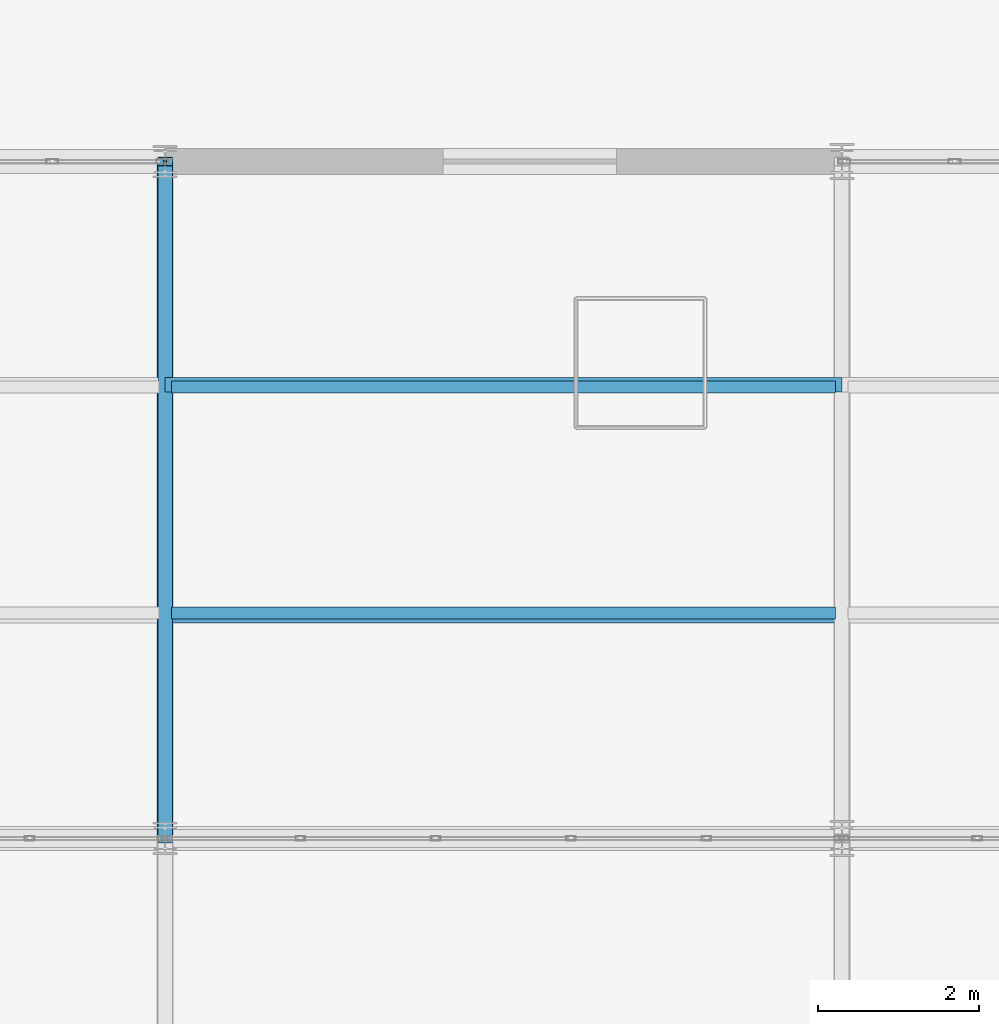
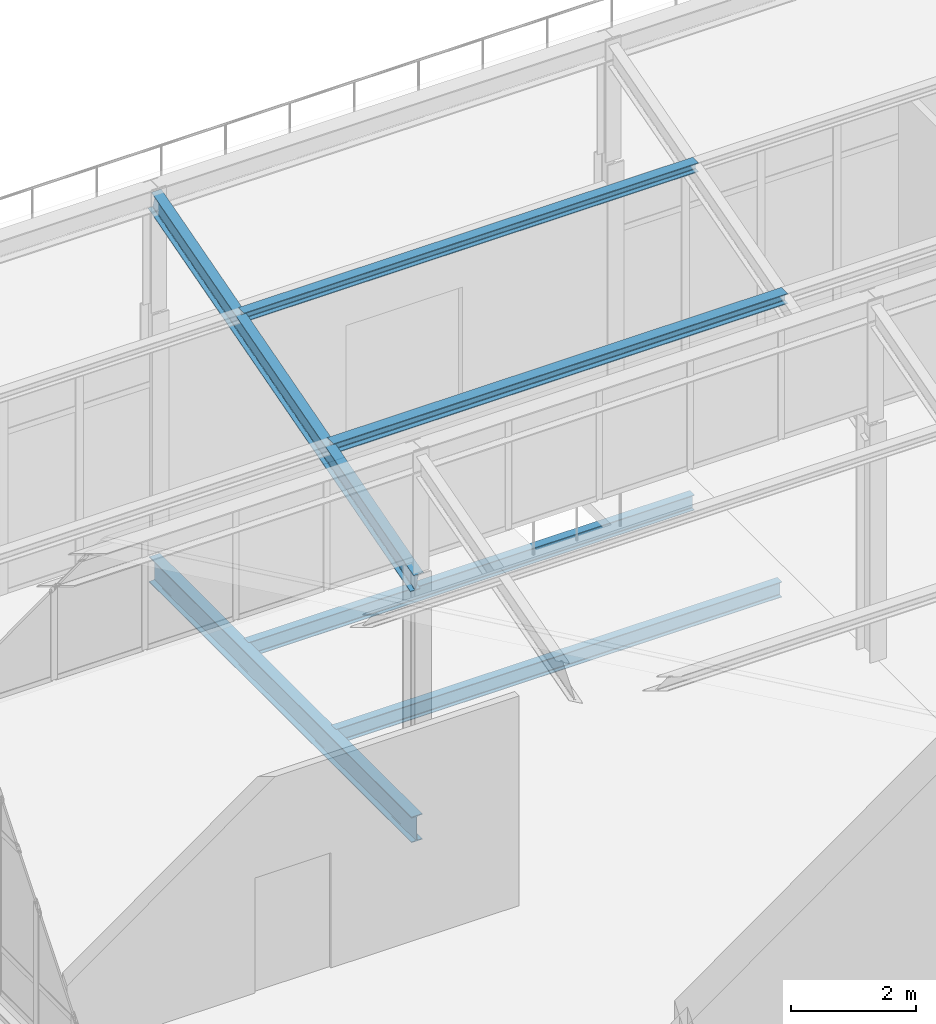
# One storey, part 21 of 53: 4 beams, 2 members.
"""IFC4 building model written with IfcOpenShell, lengths in metres."""

from ifc_helpers import new_model, si_unit, direction, frame, origin, origin_2d, place, context, subcontext, project, spatial, i_section, extrude, material, material_profile, profile_set, type_object, element, save


model = new_model("IFC4")

# Units and contexts
model_context = context("Model", 3, precision=1e-05, world=origin(), true_north=direction((0.0, 1.0)))
body_context = subcontext(model_context, "Body", "Model", "MODEL_VIEW")
ifc_project = project(units=[si_unit("LENGTHUNIT", "METRE"), si_unit("AREAUNIT", "SQUARE_METRE"), si_unit("VOLUMEUNIT", "CUBIC_METRE"), si_unit("PLANEANGLEUNIT", "RADIAN"), si_unit("MASSUNIT", "GRAM", prefix="KILO")], contexts=[model_context])

# Site, building, storey
site_placement = place(None, origin())
site = spatial("IfcSite", under=ifc_project, at=site_placement, CompositionType="ELEMENT")
building_placement = place(site_placement, origin())
building = spatial("IfcBuilding", under=site, at=building_placement, Name="Qalvenar Corner Mobility Hub", CompositionType="ELEMENT")
storey_placement = place(building_placement, frame((0.0, 0.0, 26.39990234375)))
storey = spatial("IfcBuildingStorey", under=building, at=storey_placement, Name="L06", CompositionType="ELEMENT", Elevation=26.39990234375)

# Beams
ifc_material = material(Name="Steel S355", Category="steel")
ifc_material_profile_1 = material_profile(ifc_material, i_section(OverallWidth=0.179931640625, OverallDepth=0.39990234375, WebThickness=0.008544921875, FlangeThickness=0.013427734375, FilletRadius=0.02099609375, at=origin_2d()), Name="IPE400")
ifc_profile_set_1 = profile_set([ifc_material_profile_1], Name="Steel S355")
beam_type_1 = type_object("IfcBeamType", Name="BM-IPE400", PredefinedType="BEAM", material=ifc_profile_set_1)
beam_1_placement = place(storey_placement, frame((8.39990234375, 25.199951171875, 4.340087890625), z_axis=(0.0, 0.961528165748, 0.274706364092), x_axis=(-1.0, 0.0, 0.0)))
element("IfcBeam", 1, at=beam_1_placement, inside=storey, type_object=beam_type_1, Name="Sawtooth Rafter V3RF-4-2", PredefinedType="BEAM", context=body_context, shape_type="SweptSolid", body=[
    extrude(i_section(OverallWidth=0.179931640625, OverallDepth=0.39990234375, WebThickness=0.008544921875, FlangeThickness=0.013427734375, FilletRadius=0.02099609375, at=origin_2d()), origin(), (0.0, 0.0, 1.0), 8.736328125),
])
ifc_material_profile_2 = material_profile(ifc_material, i_section(OverallWidth=0.199951171875, OverallDepth=0.5, WebThickness=0.01025390625, FlangeThickness=0.01611328125, FilletRadius=0.02099609375, at=origin_2d()), Name="IPE500")
ifc_profile_set_2 = profile_set([ifc_material_profile_2], Name="Steel S355")
beam_type_2 = type_object("IfcBeamType", Name="BM-IPE500", PredefinedType="BEAM", material=ifc_profile_set_2)
beam_2_placement = place(storey_placement, frame((8.39990234375, 25.199951171875, -0.469970703125), z_axis=(0.0, 1.0, 0.0), x_axis=(-1.0, 0.0, 0.0)))
element("IfcBeam", 2, at=beam_2_placement, inside=storey, type_object=beam_type_2, Name="Primary Steel Girder GY-3084", PredefinedType="BEAM", context=body_context, shape_type="SweptSolid", body=[
    extrude(i_section(OverallWidth=0.199951171875, OverallDepth=0.5, WebThickness=0.01025390625, FlangeThickness=0.01611328125, FilletRadius=0.02099609375, at=origin_2d()), origin(), (0.0, 0.0, 1.0), 8.400146484375),
])
ifc_material_profile_3 = material_profile(ifc_material, i_section(OverallWidth=0.14990234375, OverallDepth=0.300048828125, WebThickness=0.007080078125, FlangeThickness=0.0107421875, FilletRadius=0.014892578125, at=origin_2d()), Name="IPE300")
ifc_profile_set_3 = profile_set([ifc_material_profile_3], Name="Steel S355")
beam_type_3 = type_object("IfcBeamType", Name="BM-JST300", PredefinedType="JOIST", material=ifc_profile_set_3)
for number, where, z_axis, x_axis, name in (
    (3, (8.47802734375, 28.0, -0.369873046875), (1.0, 0.0, 0.0), (0.0, 1.0, 0.0), "Composite Floor Joist J-3114"),
    (4, (8.47802734375, 30.800048828125, -0.369873046875), (1.0, 0.0, 0.0), (0.0, 1.0, 0.0), "Composite Floor Joist J-3115"),
):
    element("IfcBeam", number, at=place(storey_placement, frame(where, z_axis=z_axis, x_axis=x_axis)), inside=storey, type_object=beam_type_3, Name=name, PredefinedType="JOIST", context=body_context, shape_type="SweptSolid", body=[
        extrude(i_section(OverallWidth=0.14990234375, OverallDepth=0.300048828125, WebThickness=0.007080078125, FlangeThickness=0.0107421875, FilletRadius=0.014892578125, at=origin_2d()), origin(), (0.0, 0.0, 1.0), 8.243896484375),
    ])

# Members
ifc_material_profile_4 = material_profile(ifc_material, i_section(OverallWidth=0.179931640625, OverallDepth=0.179931640625, WebThickness=0.008544921875, FlangeThickness=0.013916015625, FilletRadius=0.014892578125, at=origin_2d()), Name="HEB180")
ifc_profile_set_4 = profile_set([ifc_material_profile_4], Name="Steel S355")
member_type_1 = type_object("IfcMemberType", Name="PR-RHS180", PredefinedType="PURLIN", material=ifc_profile_set_4)
member_1_placement = place(storey_placement, frame((8.39990234375, 30.827880859375, 6.148193359375), z_axis=(1.0, 0.0, 0.0), x_axis=(0.0, 1.0, 0.0)))
element("IfcMember", 5, at=member_1_placement, inside=storey, type_object=member_type_1, Name="Sawtooth Roof Purlin PR-V3-4-2-67", PredefinedType="PURLIN", context=body_context, shape_type="SweptSolid", body=[
    extrude(i_section(OverallWidth=0.179931640625, OverallDepth=0.179931640625, WebThickness=0.008544921875, FlangeThickness=0.013916015625, FilletRadius=0.014892578125, at=origin_2d()), origin(), (0.0, 0.0, 1.0), 8.400146484375),
])
ifc_material_profile_5 = material_profile(ifc_material, i_section(OverallWidth=0.199951171875, OverallDepth=0.199951171875, WebThickness=0.009033203125, FlangeThickness=0.014892578125, FilletRadius=0.01806640625, at=origin_2d()), Name="HEB200")
ifc_profile_set_5 = profile_set([ifc_material_profile_5], Name="Steel S355")
member_type_2 = type_object("IfcMemberType", Name="PR-RHS200", PredefinedType="PURLIN", material=ifc_profile_set_5)
member_2_placement = place(storey_placement, frame((8.39990234375, 27.971923828125, 5.322021484375), z_axis=(1.0, 0.0, 0.0), x_axis=(0.0, 1.0, 0.0)))
element("IfcMember", 6, at=member_2_placement, inside=storey, type_object=member_type_2, Name="Sawtooth Roof Purlin PR-V3-4-2-33", PredefinedType="PURLIN", context=body_context, shape_type="SweptSolid", body=[
    extrude(i_section(OverallWidth=0.199951171875, OverallDepth=0.199951171875, WebThickness=0.009033203125, FlangeThickness=0.014892578125, FilletRadius=0.01806640625, at=origin_2d()), origin(), (0.0, 0.0, 1.0), 8.400146484375),
])

save(model, "model.ifc")
